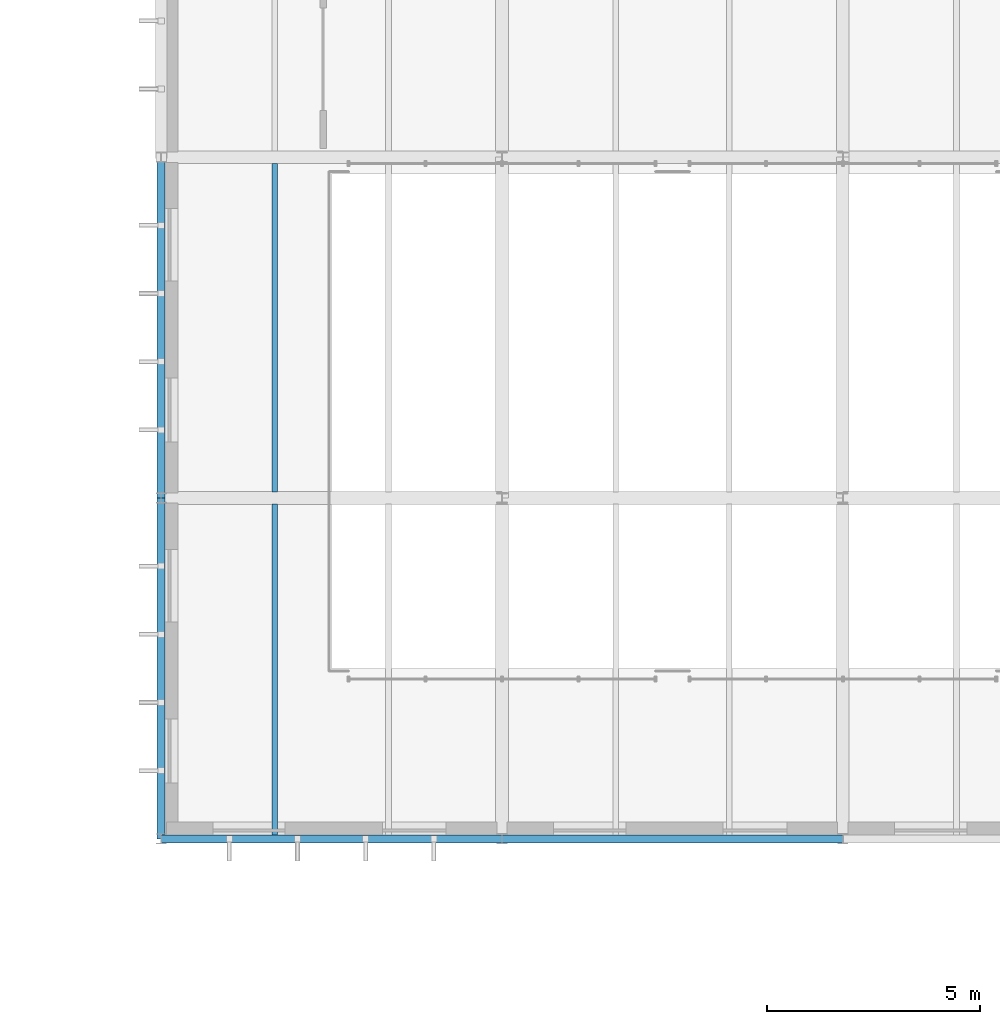
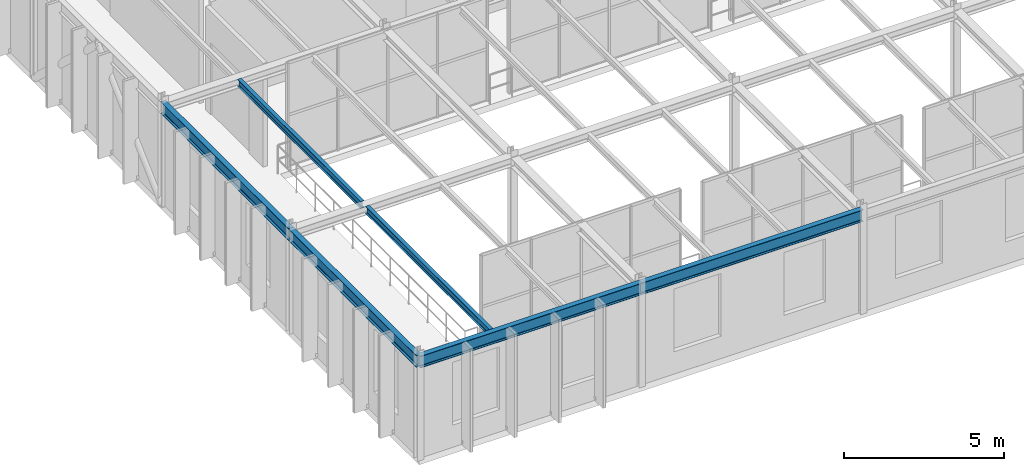
# One storey, part 53 of 124: 6 beams.
"""IFC4 building model written with IfcOpenShell, lengths in metres."""

from ifc_helpers import new_model, si_unit, direction, frame, origin, origin_2d, place, context, subcontext, project, spatial, i_section, extrude, material, material_profile, profile_set, type_object, element, save


model = new_model("IFC4")

# Units and contexts
model_context = context("Model", 3, precision=1e-05, world=origin(), true_north=direction((0.0, 1.0)))
body_context = subcontext(model_context, "Body", "Model", "MODEL_VIEW")
ifc_project = project(units=[si_unit("LENGTHUNIT", "METRE"), si_unit("AREAUNIT", "SQUARE_METRE"), si_unit("VOLUMEUNIT", "CUBIC_METRE"), si_unit("PLANEANGLEUNIT", "RADIAN"), si_unit("MASSUNIT", "GRAM", prefix="KILO")], contexts=[model_context])

# Site, building, storey
site_placement = place(None, origin())
site = spatial("IfcSite", under=ifc_project, at=site_placement, CompositionType="ELEMENT")
building_placement = place(site_placement, origin())
building = spatial("IfcBuilding", under=site, at=building_placement, Name="Sundkrona Museum", CompositionType="ELEMENT")
storey_placement = place(building_placement, frame((0.0, 0.0, 17.60009765625)))
storey = spatial("IfcBuildingStorey", under=building, at=storey_placement, Name="L03", CompositionType="ELEMENT", Elevation=17.60009765625)

# Beams
ifc_material = material(Name="Steel S355J2", Category="steel")
ifc_material_profile_1 = material_profile(ifc_material, i_section(OverallWidth=0.135009765625, OverallDepth=0.27001953125, WebThickness=0.006591796875, FlangeThickness=0.01025390625, FilletRadius=0.014892578125, at=origin_2d()), Name="IPE 270")
ifc_profile_set_1 = profile_set([ifc_material_profile_1], Name="Steel S355J2")
beam_type_1 = type_object("IfcBeamType", Name="J-IPE270", PredefinedType="JOIST", material=ifc_profile_set_1)
beam_1_placement = place(storey_placement, frame((18.666748046875, 78.089111328125, 3.824951171875), z_axis=(0.0, 1.0, 0.0), x_axis=(-1.0, 0.0, 0.0)))
element("IfcBeam", 1, at=beam_1_placement, inside=storey, type_object=beam_type_1, Name="L03 Composite Joist 0969", PredefinedType="JOIST", context=body_context, shape_type="SweptSolid", body=[
    extrude(i_section(OverallWidth=0.135009765625, OverallDepth=0.27001953125, WebThickness=0.006591796875, FlangeThickness=0.01025390625, FilletRadius=0.014892578125, at=origin_2d()), origin(), (0.0, 0.0, 1.0), 7.766845703125),
])
beam_2_placement = place(storey_placement, frame((18.666748046875, 86.14404296875, 3.824951171875), z_axis=(0.0, 1.0, 0.0), x_axis=(-1.0, 0.0, 0.0)))
element("IfcBeam", 2, at=beam_2_placement, inside=storey, type_object=beam_type_1, Name="L03 Composite Joist 0971", PredefinedType="JOIST", context=body_context, shape_type="SweptSolid", body=[
    extrude(i_section(OverallWidth=0.135009765625, OverallDepth=0.27001953125, WebThickness=0.006591796875, FlangeThickness=0.01025390625, FilletRadius=0.014892578125, at=origin_2d()), origin(), (0.0, 0.0, 1.0), 7.7119140625),
])
ifc_material_profile_2 = material_profile(ifc_material, i_section(OverallWidth=0.18994140625, OverallDepth=0.449951171875, WebThickness=0.009521484375, FlangeThickness=0.0146484375, FilletRadius=0.02099609375, at=origin_2d()), Name="IPE 450")
ifc_profile_set_2 = profile_set([ifc_material_profile_2], Name="Steel S355J2")
beam_type_2 = type_object("IfcBeamType", Name="SP-IPE450", PredefinedType="SPANDREL", material=ifc_profile_set_2)
for number, where, z_axis, x_axis, name in (
    (3, (16.0, 78.0, 3.73486328125), (1.0, 0.0, 0.0), (0.0, 1.0, 0.0), "L03 Girder X-1486"),
    (4, (24.0, 78.0, 3.73486328125), (1.0, 0.0, 0.0), (0.0, 1.0, 0.0), "L03 Girder X-1487"),
    (5, (16.0, 78.0, 3.73486328125), (0.0, 1.0, 0.0), (-1.0, 0.0, 0.0), "L03 Girder Y-1556"),
    (6, (16.0, 86.0, 3.73486328125), (0.0, 1.0, 0.0), (-1.0, 0.0, 0.0), "L03 Girder Y-1557"),
):
    element("IfcBeam", number, at=place(storey_placement, frame(where, z_axis=z_axis, x_axis=x_axis)), inside=storey, type_object=beam_type_2, Name=name, PredefinedType="SPANDREL", context=body_context, shape_type="SweptSolid", body=[
        extrude(i_section(OverallWidth=0.18994140625, OverallDepth=0.449951171875, WebThickness=0.009521484375, FlangeThickness=0.0146484375, FilletRadius=0.02099609375, at=origin_2d()), origin(), (0.0, 0.0, 1.0), 8.0),
    ])

save(model, "model.ifc")
